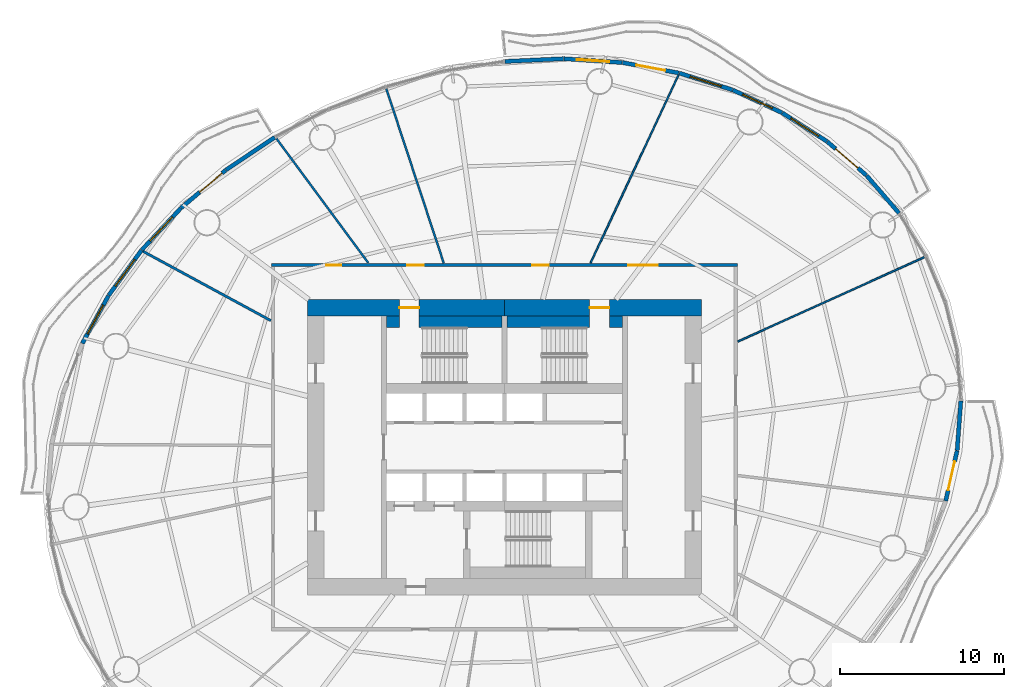
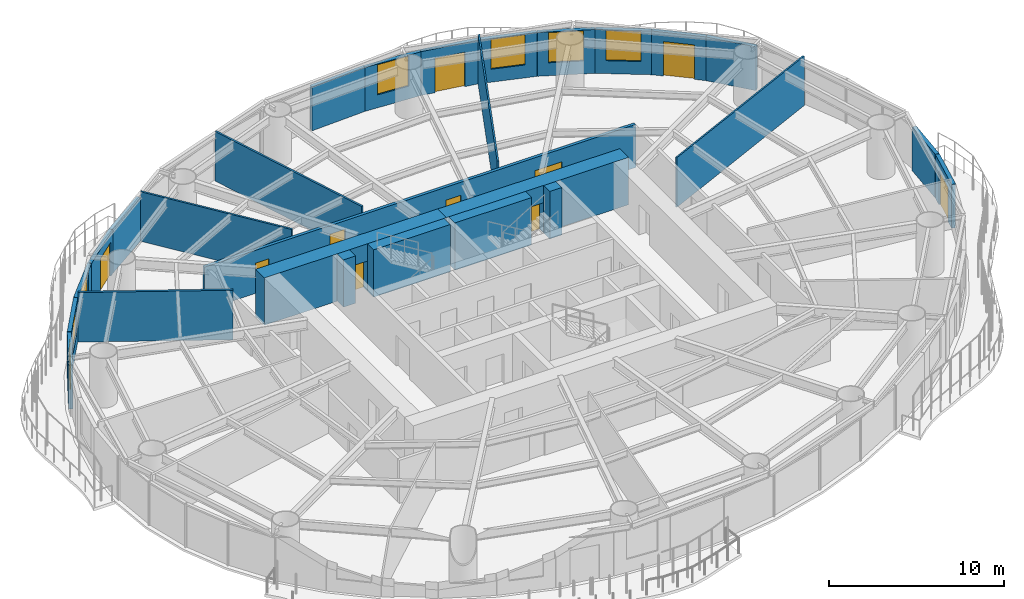
# One storey, part 9 of 14: 27 walls, 10 doors, 7 windows, 17 openings.
"""IFC4 building model written with IfcOpenShell, lengths in metres."""

from ifc_helpers import new_model, si_unit, direction, frame, frame_2d, origin, place, context, subcontext, project, spatial, rectangle, extrude, material, layer, layer_set, type_object, element, fill, save


model = new_model("IFC4")

# Units and contexts
model_context = context("Model", 3, precision=1e-05, world=origin(), true_north=direction((0.0, 1.0)))
body_context = subcontext(model_context, "Body", "Model", "MODEL_VIEW")
ifc_project = project(units=[si_unit("LENGTHUNIT", "METRE"), si_unit("AREAUNIT", "SQUARE_METRE"), si_unit("VOLUMEUNIT", "CUBIC_METRE"), si_unit("PLANEANGLEUNIT", "RADIAN"), si_unit("MASSUNIT", "GRAM", prefix="KILO")], contexts=[model_context])

# Site, building, storey
site_placement = place(None, origin())
site = spatial("IfcSite", under=ifc_project, at=site_placement, CompositionType="ELEMENT")
building_placement = place(site_placement, origin())
building = spatial("IfcBuilding", under=site, at=building_placement, Name="Vermilion Reach Broadcast Tower", CompositionType="ELEMENT")
storey_placement = place(building_placement, frame((0.0, 0.0, 106.60009765625)))
storey = spatial("IfcBuildingStorey", under=building, at=storey_placement, Name="L24", CompositionType="ELEMENT", Elevation=106.60009765625)

# Wall, opening, door
ifc_material_1 = material(Name="Concrete C70", Category="concrete")
ifc_layer_1 = layer(ifc_material_1, 1.0)
ifc_layer_set_1 = layer_set([ifc_layer_1], Name="Core outer wall 1000 mm Concrete C70")
wall_type_1 = type_object("IfcWallType", Name="Core outer wall 1000 mm Concrete C70", PredefinedType="SHEAR", material=ifc_layer_set_1)
wall_1_placement = place(storey_placement, frame((6.0, 8.5, 0.0), z_axis=(0.0, 0.0, 1.0), x_axis=(-1.0, 0.0, 0.0)))
wall_1 = element("IfcWall", 1, at=wall_1_placement, inside=storey, type_object=wall_type_1, Name="L24 core wall onE", PredefinedType="SHEAR", context=body_context, shape_type="SweptSolid", body=[
    extrude(rectangle(XDim=12.0, YDim=1.0, at=frame_2d((6.0, 0.0))), origin(), (0.0, 0.0, 1.0), 3.2998046875),
])
opening_1_placement = place(wall_1_placement, frame((5.60009765625, 0.0, 0.0)))
opening_1 = element("IfcOpeningElement", 2, at=opening_1_placement, cuts=wall_1, Name="Opening D01", PredefinedType="OPENING", context=body_context, shape_type="SweptSolid", body=[
    extrude(rectangle(XDim=1.199951171875, YDim=2.10009765625, at=frame_2d((0.60009765625, 1.050048828125))), frame((0.0, 0.510009765625, 0.0), z_axis=(0.0, -1.0, 0.0), x_axis=(1.0, 0.0, 0.0)), (0.0, 0.0, 1.0), 1.02001953125),
])
ifc_material_2 = material(Name="Painted steel fire door", Category="steel")
door_type_1 = type_object("IfcDoorType", Name="Stair door 1200 x 2100", OperationType="DOUBLE_DOOR_SINGLE_SWING", PredefinedType="NOTDEFINED", material=ifc_material_2)
door_1_placement = place(opening_1_placement, origin())
door_1 = element("IfcDoor", 3, at=door_1_placement, inside=storey, type_object=door_type_1, Name="L24 stair door ST2", OperationType="DOUBLE_DOOR_SINGLE_SWING", OverallHeight=2.10009765625, OverallWidth=1.199951171875, PredefinedType="NOTDEFINED", context=body_context, shape_type="SweptSolid", body=[
    extrude(rectangle(XDim=1.199951171875, YDim=2.10009765625, at=frame_2d((0.60009765625, 1.050048828125))), frame((0.0, 0.02490234375, 0.0), z_axis=(0.0, -1.0, 0.0), x_axis=(1.0, 0.0, 0.0)), (0.0, 0.0, 1.0), 0.050048828125),
])
fill(opening_1, door_1)

wall_2_placement = place(storey_placement, frame((-6.0, 8.5, 0.0), z_axis=(0.0, 0.0, 1.0), x_axis=(-1.0, 0.0, 0.0)))
wall_2 = element("IfcWall", 4, at=wall_2_placement, inside=storey, type_object=wall_type_1, Name="L24 core wall onW", PredefinedType="SHEAR", context=body_context, shape_type="SweptSolid", body=[
    extrude(rectangle(XDim=12.0, YDim=1.0, at=frame_2d((6.0, 0.0))), origin(), (0.0, 0.0, 1.0), 3.2998046875),
])
opening_2_placement = place(wall_2_placement, frame((5.199951171875, 0.0, 0.0)))
opening_2 = element("IfcOpeningElement", 5, at=opening_2_placement, cuts=wall_2, Name="Opening D01", PredefinedType="OPENING", context=body_context, shape_type="SweptSolid", body=[
    extrude(rectangle(XDim=1.199951171875, YDim=2.10009765625, at=frame_2d((0.60009765625, 1.050048828125))), frame((0.0, 0.510009765625, 0.0), z_axis=(0.0, -1.0, 0.0), x_axis=(1.0, 0.0, 0.0)), (0.0, 0.0, 1.0), 1.02001953125),
])
door_2_placement = place(opening_2_placement, origin())
door_2 = element("IfcDoor", 6, at=door_2_placement, inside=storey, type_object=door_type_1, Name="L24 stair door ST1", OperationType="DOUBLE_DOOR_SINGLE_SWING", OverallHeight=2.10009765625, OverallWidth=1.199951171875, PredefinedType="NOTDEFINED", context=body_context, shape_type="SweptSolid", body=[
    extrude(rectangle(XDim=1.199951171875, YDim=2.10009765625, at=frame_2d((0.60009765625, 1.050048828125))), frame((0.0, 0.02490234375, 0.0), z_axis=(0.0, -1.0, 0.0), x_axis=(1.0, 0.0, 0.0)), (0.0, 0.0, 1.0), 0.050048828125),
])
fill(opening_2, door_2)

# Walls
ifc_material_3 = material(Name="Concrete C70", Category="concrete")
ifc_layer_2 = layer(ifc_material_3, 0.699951171875)
ifc_layer_set_2 = layer_set([ifc_layer_2], Name="Core stair wall 700 mm Concrete C70")
wall_type_2 = type_object("IfcWallType", Name="Core stair wall 700 mm Concrete C70", PredefinedType="SHEAR", material=ifc_layer_set_2)
wall_3_placement = place(storey_placement, frame((-13.199951171875, 7.64990234375, 0.0), z_axis=(0.0, 0.0, 1.0), x_axis=(1.0, 0.0, 0.0)))
element("IfcWall", 7, at=wall_3_placement, inside=storey, type_object=wall_type_2, Name="L24 core wall l1a", PredefinedType="SHEAR", context=body_context, shape_type="SweptSolid", body=[
    extrude(rectangle(XDim=0.800048828125, YDim=0.699951171875, at=frame_2d((0.39990234375, 0.0))), origin(), (0.0, 0.0, 1.0), 3.2998046875),
])
for number, where, z_axis, x_axis, name in (
    (8, (-11.199951171875, 7.64990234375, 0.0), (0.0, 0.0, 1.0), (1.0, 0.0, 0.0), "L24 core wall l1b"),
    (9, (-5.85009765625, 7.64990234375, 0.0), (0.0, 0.0, 1.0), (1.0, 0.0, 0.0), "L24 core wall l2a"),
):
    element("IfcWall", number, at=place(storey_placement, frame(where, z_axis=z_axis, x_axis=x_axis)), inside=storey, type_object=wall_type_2, Name=name, PredefinedType="SHEAR", context=body_context, shape_type="SweptSolid", body=[
        extrude(rectangle(XDim=5.050048828125, YDim=0.699951171875, at=frame_2d((2.52490234375, 0.0))), origin(), (0.0, 0.0, 1.0), 3.2998046875),
    ])
wall_4_placement = place(storey_placement, frame((0.39990234375, 7.64990234375, 0.0), z_axis=(0.0, 0.0, 1.0), x_axis=(1.0, 0.0, 0.0)))
element("IfcWall", 10, at=wall_4_placement, inside=storey, type_object=wall_type_2, Name="L24 core wall l2b", PredefinedType="SHEAR", context=body_context, shape_type="SweptSolid", body=[
    extrude(rectangle(XDim=0.800048828125, YDim=0.699951171875, at=frame_2d((0.39990234375, 0.0))), origin(), (0.0, 0.0, 1.0), 3.2998046875),
])
ifc_material_4 = material(Name="Plasterboard on steel stud", Category="steel")
ifc_layer_3 = layer(ifc_material_4, 0.10009765625)
ifc_layer_set_3 = layer_set([ifc_layer_3], Name="Partition 100 steel stud")
wall_type_3 = type_object("IfcWallType", Name="Partition 100 steel stud", PredefinedType="PARTITIONING", material=ifc_layer_set_3)
wall_5_placement = place(storey_placement, frame((19.583740234375, 11.57958984375, 0.0), z_axis=(0.0, 0.0, 1.0), x_axis=(-0.911028274582, -0.412343889142, 0.0)))
element("IfcWall", 11, at=wall_5_placement, inside=storey, type_object=wall_type_3, Name="Partition 24.01", PredefinedType="PARTITIONING", context=body_context, shape_type="SweptSolid", body=[
    extrude(rectangle(XDim=12.47265625, YDim=0.10009765625, at=frame_2d((6.236328125, 0.0))), origin(), (0.0, 0.0, 1.0), 3.449951171875),
])
wall_6_placement = place(storey_placement, frame((4.60888671875, 22.685302734375, 0.0), z_axis=(0.0, 0.0, 1.0), x_axis=(-0.423609796587, -0.90584476608, 0.0)))
element("IfcWall", 12, at=wall_6_placement, inside=storey, type_object=wall_type_3, Name="Partition 24.02", PredefinedType="PARTITIONING", context=body_context, shape_type="SweptSolid", body=[
    extrude(rectangle(XDim=12.65576171875, YDim=0.10009765625, at=frame_2d((6.327880859375, 0.0))), origin(), (0.0, 0.0, 1.0), 3.449951171875),
])
ifc_material_5 = material(Name="Fire-rated plasterboard on steel stud", Category="steel")
ifc_layer_4 = layer(ifc_material_5, 0.125)
ifc_layer_set_4 = layer_set([ifc_layer_4], Name="Partition 125 fire-rated stud")
wall_type_4 = type_object("IfcWallType", Name="Partition 125 fire-rated stud", PredefinedType="PARTITIONING", material=ifc_layer_set_4)
wall_7_placement = place(storey_placement, frame((-13.198974609375, 21.8447265625, 0.0), z_axis=(0.0, 0.0, 1.0), x_axis=(0.31298520813, -0.949758000489, 0.0)))
element("IfcWall", 13, at=wall_7_placement, inside=storey, type_object=wall_type_4, Name="Partition 24.03", PredefinedType="PARTITIONING", context=body_context, shape_type="SweptSolid", body=[
    extrude(rectangle(XDim=11.187255859375, YDim=0.125, at=frame_2d((5.59375, 0.0))), origin(), (0.0, 0.0, 1.0), 3.449951171875),
])
wall_8_placement = place(storey_placement, frame((-19.892822265625, 18.80859375, 0.0), z_axis=(0.0, 0.0, 1.0), x_axis=(0.594128493207, -0.804370147109, 0.0)))
element("IfcWall", 14, at=wall_8_placement, inside=storey, type_object=wall_type_4, Name="Partition 24.04", PredefinedType="PARTITIONING", context=body_context, shape_type="SweptSolid", body=[
    extrude(rectangle(XDim=9.4130859375, YDim=0.125, at=frame_2d((4.70654296875, 0.0))), origin(), (0.0, 0.0, 1.0), 3.449951171875),
])
ifc_material_6 = material(Name="Lightweight concrete block, plastered", Category="concrete")
ifc_layer_5 = layer(ifc_material_6, 0.14990234375)
ifc_layer_set_5 = layer_set([ifc_layer_5], Name="Partition 150 lightweight block")
wall_type_5 = type_object("IfcWallType", Name="Partition 150 lightweight block", PredefinedType="PARTITIONING", material=ifc_layer_set_5)
wall_9_placement = place(storey_placement, frame((-28.017578125, 11.932861328125, 0.0), z_axis=(0.0, 0.0, 1.0), x_axis=(0.879177388761, -0.476494616015, 0.0)))
element("IfcWall", 15, at=wall_9_placement, inside=storey, type_object=wall_type_5, Name="Partition 24.05", PredefinedType="PARTITIONING", context=body_context, shape_type="SweptSolid", body=[
    extrude(rectangle(XDim=8.85107421875, YDim=0.14990234375, at=frame_2d((4.425537109375, 0.0))), origin(), (0.0, 0.0, 1.0), 3.449951171875),
])
ifc_material_7 = material(Name="Terracotta rainscreen cladding", Category="masonry")
ifc_layer_6 = layer(ifc_material_7, 0.25)
ifc_layer_set_6 = layer_set([ifc_layer_6], Name="Terracotta rainscreen wall 250")
wall_type_6 = type_object("IfcWallType", Name="Terracotta rainscreen wall 250", PredefinedType="SOLIDWALL", material=ifc_layer_set_6)
wall_10_placement = place(storey_placement, frame((18.050048828125, 14.264892578125, 0.0), z_axis=(0.0, 0.0, 1.0), x_axis=(-0.652642781227, 0.757665757516, 0.0)))
element("IfcWall", 16, at=wall_10_placement, inside=storey, type_object=wall_type_6, Name="External wall L24 02", PredefinedType="SOLIDWALL", context=body_context, shape_type="SweptSolid", body=[
    extrude(rectangle(XDim=3.026611328125, YDim=0.25, at=frame_2d((1.51318359375, 0.0))), origin(), (0.0, 0.0, 1.0), 3.0498046875),
])

# Wall, opening, door
wall_11_placement = place(storey_placement, frame((16.055908203125, 16.576904296875, 0.0), z_axis=(0.0, 0.0, 1.0), x_axis=(-0.757892764479, 0.652379151683, 0.0)))
wall_11 = element("IfcWall", 17, at=wall_11_placement, inside=storey, type_object=wall_type_6, Name="External wall L24 03", PredefinedType="SOLIDWALL", context=body_context, shape_type="SweptSolid", body=[
    extrude(rectangle(XDim=3.137451171875, YDim=0.25, at=frame_2d((1.56884765625, 0.0))), origin(), (0.0, 0.0, 1.0), 3.0498046875),
])
opening_3_placement = place(wall_11_placement, frame((0.6689453125, 0.0, 0.0)))
opening_3 = element("IfcOpeningElement", 18, at=opening_3_placement, cuts=wall_11, Name="Opening D70", PredefinedType="OPENING", context=body_context, shape_type="SweptSolid", body=[
    extrude(rectangle(XDim=1.800048828125, YDim=2.39990234375, at=frame_2d((0.89990234375, 1.199951171875))), frame((0.0, 0.135009765625, 0.0), z_axis=(0.0, -1.0, 0.0), x_axis=(1.0, 0.0, 0.0)), (0.0, 0.0, 1.0), 0.27001953125),
])
ifc_material_8 = material(Name="Low-e laminated clear glass in aluminium frame", Category="aluminium")
door_type_2 = type_object("IfcDoorType", Name="Balcony sliding door 1800 x 2400", OperationType="DOUBLE_DOOR_SLIDING", PredefinedType="DOOR", material=ifc_material_8)
door_3_placement = place(opening_3_placement, origin())
door_3 = element("IfcDoor", 19, at=door_3_placement, inside=storey, type_object=door_type_2, Name="Balcony door L24 run 01", OperationType="DOUBLE_DOOR_SLIDING", OverallHeight=2.39990234375, OverallWidth=1.800048828125, PredefinedType="DOOR", context=body_context, shape_type="SweptSolid", body=[
    extrude(rectangle(XDim=1.800048828125, YDim=2.39990234375, at=frame_2d((0.89990234375, 1.199951171875))), frame((0.0, 0.02490234375, 0.0), z_axis=(0.0, -1.0, 0.0), x_axis=(1.0, 0.0, 0.0)), (0.0, 0.0, 1.0), 0.050048828125),
])
fill(opening_3, door_3)

# Wall, opening, window
wall_12_placement = place(storey_placement, frame((13.6572265625, 18.63916015625, 0.0), z_axis=(0.0, 0.0, 1.0), x_axis=(-0.842783191824, 0.538253185387, 0.0)))
wall_12 = element("IfcWall", 20, at=wall_12_placement, inside=storey, type_object=wall_type_6, Name="External wall L24 04", PredefinedType="SOLIDWALL", context=body_context, shape_type="SweptSolid", body=[
    extrude(rectangle(XDim=3.220458984375, YDim=0.25, at=frame_2d((1.6103515625, 0.0))), origin(), (0.0, 0.0, 1.0), 3.0498046875),
])
opening_4_placement = place(wall_12_placement, frame((0.610107421875, 0.0, 0.89990234375)))
opening_4 = element("IfcOpeningElement", 21, at=opening_4_placement, cuts=wall_12, Name="Opening W03", PredefinedType="OPENING", context=body_context, shape_type="SweptSolid", body=[
    extrude(rectangle(XDim=2.0, YDim=2.10009765625, at=frame_2d((1.0, 1.050048828125))), frame((0.0, 0.135009765625, 0.0), z_axis=(0.0, -1.0, 0.0), x_axis=(1.0, 0.0, 0.0)), (0.0, 0.0, 1.0), 0.27001953125),
])
ifc_material_9 = material(Name="Low-e laminated clear glass in aluminium frame", Category="aluminium")
window_type = type_object("IfcWindowType", Name="Punched window 2000 x 2100 sill 900", PartitioningType="SINGLE_PANEL", PredefinedType="WINDOW", material=ifc_material_9)
window_1_placement = place(opening_4_placement, origin())
window_1 = element("IfcWindow", 22, at=window_1_placement, inside=storey, type_object=window_type, Name="Window L24 04", OverallHeight=2.10009765625, OverallWidth=2.0, PartitioningType="SINGLE_PANEL", PredefinedType="WINDOW", context=body_context, shape_type="SweptSolid", body=[
    extrude(rectangle(XDim=2.0, YDim=2.10009765625, at=frame_2d((1.0, 1.050048828125))), frame((0.0, 0.030029296875, 0.0), z_axis=(0.0, -1.0, 0.0), x_axis=(1.0, 0.0, 0.0)), (0.0, 0.0, 1.0), 0.06005859375),
])
fill(opening_4, window_1)

wall_13_placement = place(storey_placement, frame((10.92138671875, 20.384521484375, 0.0), z_axis=(0.0, 0.0, 1.0), x_axis=(-0.907654786829, 0.419717509697, 0.0)))
wall_13 = element("IfcWall", 23, at=wall_13_placement, inside=storey, type_object=wall_type_6, Name="External wall L24 05", PredefinedType="SOLIDWALL", context=body_context, shape_type="SweptSolid", body=[
    extrude(rectangle(XDim=3.310302734375, YDim=0.25, at=frame_2d((1.6552734375, 0.0))), origin(), (0.0, 0.0, 1.0), 3.0498046875),
])
opening_5_placement = place(wall_13_placement, frame((0.6552734375, 0.0, 0.89990234375)))
opening_5 = element("IfcOpeningElement", 24, at=opening_5_placement, cuts=wall_13, Name="Opening W03", PredefinedType="OPENING", context=body_context, shape_type="SweptSolid", body=[
    extrude(rectangle(XDim=2.0, YDim=2.10009765625, at=frame_2d((1.0, 1.050048828125))), frame((0.0, 0.135009765625, 0.0), z_axis=(0.0, -1.0, 0.0), x_axis=(1.0, 0.0, 0.0)), (0.0, 0.0, 1.0), 0.27001953125),
])
window_2_placement = place(opening_5_placement, origin())
window_2 = element("IfcWindow", 25, at=window_2_placement, inside=storey, type_object=window_type, Name="Window L24 05", OverallHeight=2.10009765625, OverallWidth=2.0, PartitioningType="SINGLE_PANEL", PredefinedType="WINDOW", context=body_context, shape_type="SweptSolid", body=[
    extrude(rectangle(XDim=2.0, YDim=2.10009765625, at=frame_2d((1.0, 1.050048828125))), frame((0.0, 0.030029296875, 0.0), z_axis=(0.0, -1.0, 0.0), x_axis=(1.0, 0.0, 0.0)), (0.0, 0.0, 1.0), 0.06005859375),
])
fill(opening_5, window_2)

wall_14_placement = place(storey_placement, frame((7.894287109375, 21.782470703125, 0.0), z_axis=(0.0, 0.0, 1.0), x_axis=(-0.953916243861, 0.300072990618, 0.0)))
wall_14 = element("IfcWall", 26, at=wall_14_placement, inside=storey, type_object=wall_type_6, Name="External wall L24 06", PredefinedType="SOLIDWALL", context=body_context, shape_type="SweptSolid", body=[
    extrude(rectangle(XDim=3.40087890625, YDim=0.25, at=frame_2d((1.700439453125, 0.0))), origin(), (0.0, 0.0, 1.0), 3.0498046875),
])
opening_6_placement = place(wall_14_placement, frame((0.700439453125, 0.0, 0.89990234375)))
opening_6 = element("IfcOpeningElement", 27, at=opening_6_placement, cuts=wall_14, Name="Opening W03", PredefinedType="OPENING", context=body_context, shape_type="SweptSolid", body=[
    extrude(rectangle(XDim=2.0, YDim=2.10009765625, at=frame_2d((1.0, 1.050048828125))), frame((0.0, 0.135009765625, 0.0), z_axis=(0.0, -1.0, 0.0), x_axis=(1.0, 0.0, 0.0)), (0.0, 0.0, 1.0), 0.27001953125),
])
window_3_placement = place(opening_6_placement, origin())
window_3 = element("IfcWindow", 28, at=window_3_placement, inside=storey, type_object=window_type, Name="Window L24 06", OverallHeight=2.10009765625, OverallWidth=2.0, PartitioningType="SINGLE_PANEL", PredefinedType="WINDOW", context=body_context, shape_type="SweptSolid", body=[
    extrude(rectangle(XDim=2.0, YDim=2.10009765625, at=frame_2d((1.0, 1.050048828125))), frame((0.0, 0.030029296875, 0.0), z_axis=(0.0, -1.0, 0.0), x_axis=(1.0, 0.0, 0.0)), (0.0, 0.0, 1.0), 0.06005859375),
])
fill(opening_6, window_3)

# Wall, opening, door
wall_15_placement = place(storey_placement, frame((4.627685546875, 22.80859375, 0.0), z_axis=(0.0, 0.0, 1.0), x_axis=(-0.983371983657, 0.181602703057, 0.0)))
wall_15 = element("IfcWall", 29, at=wall_15_placement, inside=storey, type_object=wall_type_6, Name="External wall L24 07", PredefinedType="SOLIDWALL", context=body_context, shape_type="SweptSolid", body=[
    extrude(rectangle(XDim=3.48583984375, YDim=0.25, at=frame_2d((1.742919921875, 0.0))), origin(), (0.0, 0.0, 1.0), 3.0498046875),
])
opening_7_placement = place(wall_15_placement, frame((0.843017578125, 0.0, 0.0)))
opening_7 = element("IfcOpeningElement", 30, at=opening_7_placement, cuts=wall_15, Name="Opening D70", PredefinedType="OPENING", context=body_context, shape_type="SweptSolid", body=[
    extrude(rectangle(XDim=1.800048828125, YDim=2.39990234375, at=frame_2d((0.89990234375, 1.199951171875))), frame((0.0, 0.135009765625, 0.0), z_axis=(0.0, -1.0, 0.0), x_axis=(1.0, 0.0, 0.0)), (0.0, 0.0, 1.0), 0.27001953125),
])
door_4_placement = place(opening_7_placement, origin())
door_4 = element("IfcDoor", 31, at=door_4_placement, inside=storey, type_object=door_type_2, Name="Balcony door L24 run 02", OperationType="DOUBLE_DOOR_SLIDING", OverallHeight=2.39990234375, OverallWidth=1.800048828125, PredefinedType="DOOR", context=body_context, shape_type="SweptSolid", body=[
    extrude(rectangle(XDim=1.800048828125, YDim=2.39990234375, at=frame_2d((0.89990234375, 1.199951171875))), frame((0.0, 0.02490234375, 0.0), z_axis=(0.0, -1.0, 0.0), x_axis=(1.0, 0.0, 0.0)), (0.0, 0.0, 1.0), 0.050048828125),
])
fill(opening_7, door_4)

# Wall, opening, window
wall_16_placement = place(storey_placement, frame((1.17724609375, 23.4443359375, 0.0), z_axis=(0.0, 0.0, 1.0), x_axis=(-0.997840034655, 0.065690678477, 0.0)))
wall_16 = element("IfcWall", 32, at=wall_16_placement, inside=storey, type_object=wall_type_6, Name="External wall L24 08", PredefinedType="SOLIDWALL", context=body_context, shape_type="SweptSolid", body=[
    extrude(rectangle(XDim=3.560302734375, YDim=0.25, at=frame_2d((1.7802734375, 0.0))), origin(), (0.0, 0.0, 1.0), 3.0498046875),
])
opening_8_placement = place(wall_16_placement, frame((0.7802734375, 0.0, 0.89990234375)))
opening_8 = element("IfcOpeningElement", 33, at=opening_8_placement, cuts=wall_16, Name="Opening W03", PredefinedType="OPENING", context=body_context, shape_type="SweptSolid", body=[
    extrude(rectangle(XDim=2.0, YDim=2.10009765625, at=frame_2d((1.0, 1.050048828125))), frame((0.0, 0.135009765625, 0.0), z_axis=(0.0, -1.0, 0.0), x_axis=(1.0, 0.0, 0.0)), (0.0, 0.0, 1.0), 0.27001953125),
])
window_4_placement = place(opening_8_placement, origin())
window_4 = element("IfcWindow", 34, at=window_4_placement, inside=storey, type_object=window_type, Name="Window L24 08", OverallHeight=2.10009765625, OverallWidth=2.0, PartitioningType="SINGLE_PANEL", PredefinedType="WINDOW", context=body_context, shape_type="SweptSolid", body=[
    extrude(rectangle(XDim=2.0, YDim=2.10009765625, at=frame_2d((1.0, 1.050048828125))), frame((0.0, 0.030029296875, 0.0), z_axis=(0.0, -1.0, 0.0), x_axis=(1.0, 0.0, 0.0)), (0.0, 0.0, 1.0), 0.06005859375),
])
fill(opening_8, window_4)

# Walls
for number, where, z_axis, x_axis, name in (
    (35, (-2.397705078125, 23.678466796875, 0.0), (0.0, 0.0, 1.0), (-0.998893022407, -0.047039661844, 0.0), "External wall L24 09"),
    (36, (-20.002197265625, 18.8857421875, 0.0), (0.0, 0.0, 1.0), (-0.83113537962, -0.556070122146, 0.0), "External wall L24 14"),
):
    element("IfcWall", number, at=place(storey_placement, frame(where, z_axis=z_axis, x_axis=x_axis)), inside=storey, type_object=wall_type_6, Name=name, PredefinedType="SOLIDWALL", context=body_context, shape_type="SweptSolid", body=[
        extrude(rectangle(XDim=3.575927734375, YDim=0.25, at=frame_2d((1.7880859375, 0.0))), origin(), (0.0, 0.0, 1.0), 3.0498046875),
    ])

# Wall, opening, door
wall_17_placement = place(storey_placement, frame((-22.991943359375, 16.8837890625, 0.0), z_axis=(0.0, 0.0, 1.0), x_axis=(-0.763331662342, -0.646006790418, 0.0)))
wall_17 = element("IfcWall", 37, at=wall_17_placement, inside=storey, type_object=wall_type_6, Name="External wall L24 15", PredefinedType="SOLIDWALL", context=body_context, shape_type="SweptSolid", body=[
    extrude(rectangle(XDim=3.560302734375, YDim=0.25, at=frame_2d((1.7802734375, 0.0))), origin(), (0.0, 0.0, 1.0), 3.0498046875),
])
opening_9_placement = place(wall_17_placement, frame((0.280029296875, 0.0, 0.0)))
opening_9 = element("IfcOpeningElement", 38, at=opening_9_placement, cuts=wall_17, Name="Opening D70", PredefinedType="OPENING", context=body_context, shape_type="SweptSolid", body=[
    extrude(rectangle(XDim=1.800048828125, YDim=2.39990234375, at=frame_2d((0.89990234375, 1.199951171875))), frame((0.0, 0.135009765625, 0.0), z_axis=(0.0, -1.0, 0.0), x_axis=(1.0, 0.0, 0.0)), (0.0, 0.0, 1.0), 0.27001953125),
])
door_5_placement = place(opening_9_placement, origin())
door_5 = element("IfcDoor", 39, at=door_5_placement, inside=storey, type_object=door_type_2, Name="Balcony door L24 run 04", OperationType="DOUBLE_DOOR_SLIDING", OverallHeight=2.39990234375, OverallWidth=1.800048828125, PredefinedType="DOOR", context=body_context, shape_type="SweptSolid", body=[
    extrude(rectangle(XDim=1.800048828125, YDim=2.39990234375, at=frame_2d((0.89990234375, 1.199951171875))), frame((0.0, 0.02490234375, 0.0), z_axis=(0.0, -1.0, 0.0), x_axis=(1.0, 0.0, 0.0)), (0.0, 0.0, 1.0), 0.050048828125),
])
fill(opening_9, door_5)

# Wall, opening, window
wall_18_placement = place(storey_placement, frame((-25.72607421875, 14.568115234375, 0.0), z_axis=(0.0, 0.0, 1.0), x_axis=(-0.68271241641, -0.730687181002, 0.0)))
wall_18 = element("IfcWall", 40, at=wall_18_placement, inside=storey, type_object=wall_type_6, Name="External wall L24 16", PredefinedType="SOLIDWALL", context=body_context, shape_type="SweptSolid", body=[
    extrude(rectangle(XDim=3.48583984375, YDim=0.25, at=frame_2d((1.742919921875, 0.0))), origin(), (0.0, 0.0, 1.0), 3.0498046875),
])
opening_10_placement = place(wall_18_placement, frame((0.742919921875, 0.0, 0.89990234375)))
opening_10 = element("IfcOpeningElement", 41, at=opening_10_placement, cuts=wall_18, Name="Opening W03", PredefinedType="OPENING", context=body_context, shape_type="SweptSolid", body=[
    extrude(rectangle(XDim=2.0, YDim=2.10009765625, at=frame_2d((1.0, 1.050048828125))), frame((0.0, 0.135009765625, 0.0), z_axis=(0.0, -1.0, 0.0), x_axis=(1.0, 0.0, 0.0)), (0.0, 0.0, 1.0), 0.27001953125),
])
window_5_placement = place(opening_10_placement, origin())
window_5 = element("IfcWindow", 42, at=window_5_placement, inside=storey, type_object=window_type, Name="Window L24 16", OverallHeight=2.10009765625, OverallWidth=2.0, PartitioningType="SINGLE_PANEL", PredefinedType="WINDOW", context=body_context, shape_type="SweptSolid", body=[
    extrude(rectangle(XDim=2.0, YDim=2.10009765625, at=frame_2d((1.0, 1.050048828125))), frame((0.0, 0.030029296875, 0.0), z_axis=(0.0, -1.0, 0.0), x_axis=(1.0, 0.0, 0.0)), (0.0, 0.0, 1.0), 0.06005859375),
])
fill(opening_10, window_5)

wall_19_placement = place(storey_placement, frame((-28.120849609375, 12.003173828125, 0.0), z_axis=(0.0, 0.0, 1.0), x_axis=(-0.588602739614, -0.808422423563, 0.0)))
wall_19 = element("IfcWall", 43, at=wall_19_placement, inside=storey, type_object=wall_type_6, Name="External wall L24 17", PredefinedType="SOLIDWALL", context=body_context, shape_type="SweptSolid", body=[
    extrude(rectangle(XDim=3.40087890625, YDim=0.25, at=frame_2d((1.700439453125, 0.0))), origin(), (0.0, 0.0, 1.0), 3.0498046875),
])
opening_11_placement = place(wall_19_placement, frame((0.700439453125, 0.0, 0.89990234375)))
opening_11 = element("IfcOpeningElement", 44, at=opening_11_placement, cuts=wall_19, Name="Opening W03", PredefinedType="OPENING", context=body_context, shape_type="SweptSolid", body=[
    extrude(rectangle(XDim=2.0, YDim=2.10009765625, at=frame_2d((1.0, 1.050048828125))), frame((0.0, 0.135009765625, 0.0), z_axis=(0.0, -1.0, 0.0), x_axis=(1.0, 0.0, 0.0)), (0.0, 0.0, 1.0), 0.27001953125),
])
window_6_placement = place(opening_11_placement, origin())
window_6 = element("IfcWindow", 45, at=window_6_placement, inside=storey, type_object=window_type, Name="Window L24 17", OverallHeight=2.10009765625, OverallWidth=2.0, PartitioningType="SINGLE_PANEL", PredefinedType="WINDOW", context=body_context, shape_type="SweptSolid", body=[
    extrude(rectangle(XDim=2.0, YDim=2.10009765625, at=frame_2d((1.0, 1.050048828125))), frame((0.0, 0.030029296875, 0.0), z_axis=(0.0, -1.0, 0.0), x_axis=(1.0, 0.0, 0.0)), (0.0, 0.0, 1.0), 0.06005859375),
])
fill(opening_11, window_6)

wall_20_placement = place(storey_placement, frame((-30.135498046875, 9.233642578125, 0.0), z_axis=(0.0, 0.0, 1.0), x_axis=(-0.48026734168, -0.877122158263, 0.0)))
wall_20 = element("IfcWall", 46, at=wall_20_placement, inside=storey, type_object=wall_type_6, Name="External wall L24 18", PredefinedType="SOLIDWALL", context=body_context, shape_type="SweptSolid", body=[
    extrude(rectangle(XDim=3.310302734375, YDim=0.25, at=frame_2d((1.6552734375, 0.0))), origin(), (0.0, 0.0, 1.0), 3.0498046875),
])
opening_12_placement = place(wall_20_placement, frame((0.6552734375, 0.0, 0.89990234375)))
opening_12 = element("IfcOpeningElement", 47, at=opening_12_placement, cuts=wall_20, Name="Opening W03", PredefinedType="OPENING", context=body_context, shape_type="SweptSolid", body=[
    extrude(rectangle(XDim=2.0, YDim=2.10009765625, at=frame_2d((1.0, 1.050048828125))), frame((0.0, 0.135009765625, 0.0), z_axis=(0.0, -1.0, 0.0), x_axis=(1.0, 0.0, 0.0)), (0.0, 0.0, 1.0), 0.27001953125),
])
window_7_placement = place(opening_12_placement, origin())
window_7 = element("IfcWindow", 48, at=window_7_placement, inside=storey, type_object=window_type, Name="Window L24 18", OverallHeight=2.10009765625, OverallWidth=2.0, PartitioningType="SINGLE_PANEL", PredefinedType="WINDOW", context=body_context, shape_type="SweptSolid", body=[
    extrude(rectangle(XDim=2.0, YDim=2.10009765625, at=frame_2d((1.0, 1.050048828125))), frame((0.0, 0.030029296875, 0.0), z_axis=(0.0, -1.0, 0.0), x_axis=(1.0, 0.0, 0.0)), (0.0, 0.0, 1.0), 0.06005859375),
])
fill(opening_12, window_7)

# Wall, opening, door
wall_21_placement = place(storey_placement, frame((20.89501953125, -3.275390625, 0.0), z_axis=(0.0, 0.0, 1.0), x_axis=(0.221533658601, 0.975152725529, 0.0)))
wall_21 = element("IfcWall", 49, at=wall_21_placement, inside=storey, type_object=wall_type_6, Name="External wall L24 44", PredefinedType="SOLIDWALL", context=body_context, shape_type="SweptSolid", body=[
    extrude(rectangle(XDim=3.137451171875, YDim=0.25, at=frame_2d((1.56884765625, 0.0))), origin(), (0.0, 0.0, 1.0), 3.0498046875),
])
opening_13_placement = place(wall_21_placement, frame((0.6689453125, 0.0, 0.0)))
opening_13 = element("IfcOpeningElement", 50, at=opening_13_placement, cuts=wall_21, Name="Opening D70", PredefinedType="OPENING", context=body_context, shape_type="SweptSolid", body=[
    extrude(rectangle(XDim=1.800048828125, YDim=2.39990234375, at=frame_2d((0.89990234375, 1.199951171875))), frame((0.0, 0.135009765625, 0.0), z_axis=(0.0, -1.0, 0.0), x_axis=(1.0, 0.0, 0.0)), (0.0, 0.0, 1.0), 0.27001953125),
])
door_6_placement = place(opening_13_placement, origin())
door_6 = element("IfcDoor", 51, at=door_6_placement, inside=storey, type_object=door_type_2, Name="Balcony door L24 run 11", OperationType="DOUBLE_DOOR_SLIDING", OverallHeight=2.39990234375, OverallWidth=1.800048828125, PredefinedType="DOOR", context=body_context, shape_type="SweptSolid", body=[
    extrude(rectangle(XDim=1.800048828125, YDim=2.39990234375, at=frame_2d((0.89990234375, 1.199951171875))), frame((0.0, 0.02490234375, 0.0), z_axis=(0.0, -1.0, 0.0), x_axis=(1.0, 0.0, 0.0)), (0.0, 0.0, 1.0), 0.050048828125),
])
fill(opening_13, door_6)

# Wall
wall_22_placement = place(storey_placement, frame((21.593994140625, -0.189453125, 0.0), z_axis=(0.0, 0.0, 1.0), x_axis=(0.074290620375, 0.997236633766, 0.0)))
element("IfcWall", 52, at=wall_22_placement, inside=storey, type_object=wall_type_6, Name="External wall L24 45", PredefinedType="SOLIDWALL", context=body_context, shape_type="SweptSolid", body=[
    extrude(rectangle(XDim=3.026611328125, YDim=0.25, at=frame_2d((1.51318359375, 0.0))), origin(), (0.0, 0.0, 1.0), 3.0498046875),
])

# Wall, openings, doors
ifc_material_10 = material(Name="Fire-rated gypsum board partition")
ifc_layer_7 = layer(ifc_material_10, 0.199951171875)
ifc_layer_set_7 = layer_set([ifc_layer_7], Name="Under girder: Corridor wall 200 fire-rated")
wall_type_7 = type_object("IfcWallType", Name="Under girder: Corridor wall 200 fire-rated", PredefinedType="PARTITIONING", material=ifc_layer_set_7)
wall_23_placement = place(storey_placement, frame((-20.199951171875, 11.10009765625, 0.0), z_axis=(0.0, 0.0, 1.0), x_axis=(1.0, 0.0, 0.0)))
wall_23 = element("IfcWall", 53, at=wall_23_placement, inside=storey, type_object=wall_type_7, Name="Corridor wall 24.N", PredefinedType="PARTITIONING", context=body_context, shape_type="SweptSolid", body=[
    extrude(rectangle(XDim=28.39990234375, YDim=0.199951171875, at=frame_2d((14.199951171875, 0.0))), origin(), (0.0, 0.0, 1.0), 3.0),
])
opening_14_placement = place(wall_23_placement, frame((21.746337890625, 0.0, 0.0)))
opening_14 = element("IfcOpeningElement", 54, at=opening_14_placement, cuts=wall_23, Name="Opening D21", PredefinedType="OPENING", context=body_context, shape_type="SweptSolid", body=[
    extrude(rectangle(XDim=1.800048828125, YDim=2.10009765625, at=frame_2d((0.89990234375, 1.050048828125))), frame((0.0, 0.10986328125, 0.0), z_axis=(0.0, -1.0, 0.0), x_axis=(1.0, 0.0, 0.0)), (0.0, 0.0, 1.0), 0.219970703125),
])
opening_15_placement = place(wall_23_placement, frame((15.89404296875, 0.0, 0.0)))
opening_15 = element("IfcOpeningElement", 55, at=opening_15_placement, cuts=wall_23, Name="Opening D20", PredefinedType="OPENING", context=body_context, shape_type="SweptSolid", body=[
    extrude(rectangle(XDim=1.0, YDim=2.10009765625, at=frame_2d((0.5, 1.050048828125))), frame((0.0, 0.10986328125, 0.0), z_axis=(0.0, -1.0, 0.0), x_axis=(1.0, 0.0, 0.0)), (0.0, 0.0, 1.0), 0.219970703125),
])
opening_16_placement = place(wall_23_placement, frame((8.26953125, 0.0, 0.0)))
opening_16 = element("IfcOpeningElement", 56, at=opening_16_placement, cuts=wall_23, Name="Opening D23", PredefinedType="OPENING", context=body_context, shape_type="SweptSolid", body=[
    extrude(rectangle(XDim=1.0, YDim=2.39990234375, at=frame_2d((0.5, 1.199951171875))), frame((0.0, 0.10986328125, 0.0), z_axis=(0.0, -1.0, 0.0), x_axis=(1.0, 0.0, 0.0)), (0.0, 0.0, 1.0), 0.219970703125),
])
opening_17_placement = place(wall_23_placement, frame((3.34912109375, 0.0, 0.0)))
opening_17 = element("IfcOpeningElement", 57, at=opening_17_placement, cuts=wall_23, Name="Opening D22", PredefinedType="OPENING", context=body_context, shape_type="SweptSolid", body=[
    extrude(rectangle(XDim=0.89990234375, YDim=2.10009765625, at=frame_2d((0.449951171875, 1.050048828125))), frame((0.0, 0.10986328125, 0.0), z_axis=(0.0, -1.0, 0.0), x_axis=(1.0, 0.0, 0.0)), (0.0, 0.0, 1.0), 0.219970703125),
])
ifc_material_11 = material(Name="Timber door leaf", Category="wood")
door_type_3 = type_object("IfcDoorType", Name="Door pair 1800x2100", OperationType="NOTDEFINED", PredefinedType="DOOR", material=ifc_material_11)
door_7_placement = place(opening_14_placement, origin())
door_7 = element("IfcDoor", 58, at=door_7_placement, inside=storey, type_object=door_type_3, Name="Door 24.01", OperationType="DOUBLE_DOOR_SINGLE_SWING", OverallHeight=2.10009765625, OverallWidth=1.800048828125, PredefinedType="DOOR", context=body_context, shape_type="SweptSolid", body=[
    extrude(rectangle(XDim=1.800048828125, YDim=2.10009765625, at=frame_2d((0.89990234375, 1.050048828125))), frame((0.0, 0.02490234375, 0.0), z_axis=(0.0, -1.0, 0.0), x_axis=(1.0, 0.0, 0.0)), (0.0, 0.0, 1.0), 0.050048828125),
])
fill(opening_14, door_7)
ifc_material_12 = material(Name="Timber door leaf", Category="wood")
door_type_4 = type_object("IfcDoorType", Name="Door single 1000x2100", OperationType="NOTDEFINED", PredefinedType="DOOR", material=ifc_material_12)
door_8_placement = place(opening_15_placement, origin())
door_8 = element("IfcDoor", 59, at=door_8_placement, inside=storey, type_object=door_type_4, Name="Door 24.02", OperationType="SINGLE_SWING_RIGHT", OverallHeight=2.10009765625, OverallWidth=1.0, PredefinedType="DOOR", context=body_context, shape_type="SweptSolid", body=[
    extrude(rectangle(XDim=1.0, YDim=2.10009765625, at=frame_2d((0.5, 1.050048828125))), frame((0.0, 0.02490234375, 0.0), z_axis=(0.0, -1.0, 0.0), x_axis=(1.0, 0.0, 0.0)), (0.0, 0.0, 1.0), 0.050048828125),
])
fill(opening_15, door_8)
ifc_material_13 = material(Name="Veneered timber door leaf", Category="wood")
door_type_5 = type_object("IfcDoorType", Name="Door single 1000x2400", OperationType="NOTDEFINED", PredefinedType="DOOR", material=ifc_material_13)
door_9_placement = place(opening_16_placement, origin())
door_9 = element("IfcDoor", 60, at=door_9_placement, inside=storey, type_object=door_type_5, Name="Door 24.03", OperationType="SINGLE_SWING_RIGHT", OverallHeight=2.39990234375, OverallWidth=1.0, PredefinedType="DOOR", context=body_context, shape_type="SweptSolid", body=[
    extrude(rectangle(XDim=1.0, YDim=2.39990234375, at=frame_2d((0.5, 1.199951171875))), frame((0.0, 0.02490234375, 0.0), z_axis=(0.0, -1.0, 0.0), x_axis=(1.0, 0.0, 0.0)), (0.0, 0.0, 1.0), 0.050048828125),
])
fill(opening_16, door_9)
ifc_material_14 = material(Name="Timber door leaf", Category="wood")
door_type_6 = type_object("IfcDoorType", Name="Door single 900x2100", OperationType="NOTDEFINED", PredefinedType="DOOR", material=ifc_material_14)
door_10_placement = place(opening_17_placement, origin())
door_10 = element("IfcDoor", 61, at=door_10_placement, inside=storey, type_object=door_type_6, Name="Door 24.04", OperationType="SINGLE_SWING_RIGHT", OverallHeight=2.10009765625, OverallWidth=0.89990234375, PredefinedType="DOOR", context=body_context, shape_type="SweptSolid", body=[
    extrude(rectangle(XDim=0.89990234375, YDim=2.10009765625, at=frame_2d((0.449951171875, 1.050048828125))), frame((0.0, 0.02490234375, 0.0), z_axis=(0.0, -1.0, 0.0), x_axis=(1.0, 0.0, 0.0)), (0.0, 0.0, 1.0), 0.050048828125),
])
fill(opening_17, door_10)

save(model, "model.ifc")
